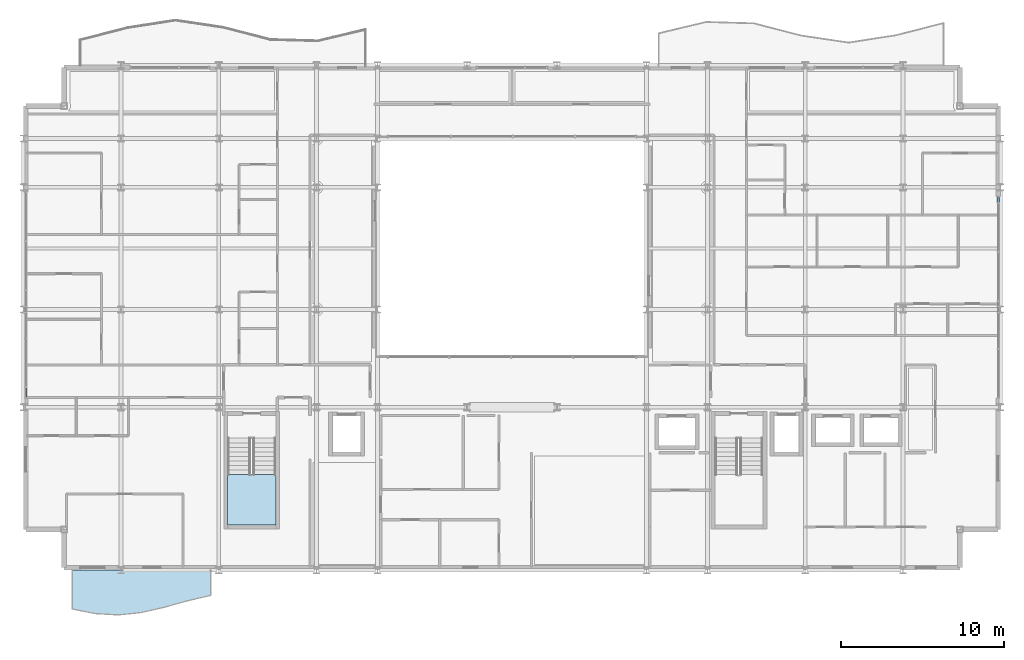
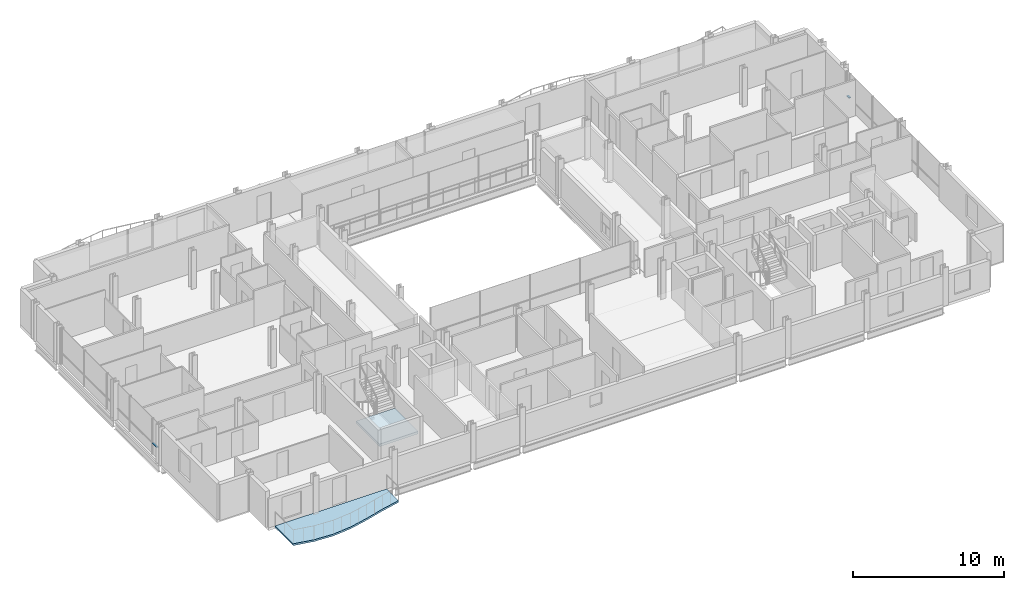
# One storey, part 27 of 41: 2 members, 2 slabs, 3 elements without a shape of their own.
"""IFC4 building model written with IfcOpenShell, lengths in metres."""

import ifcopenshell
import ifcopenshell.guid

model = None  # the IFC model being written
_history = None  # IfcOwnerHistory: only IFC2X3 demands one
_inside = {}  # id of a spatial element -> (the spatial element, [elements in it])
_under = {}  # id of a project, library or spatial element -> (it, [spatial elements below it])
_declared = {}  # id of a project -> (the project, [libraries it declares])
_typed = {}  # id of a type object -> (the type object, [elements of that type])
_made_of = {}  # id of a material, layer set ... -> (it, [elements and type objects made of it])


def new_model(schema):
    """Start an empty IFC model of exactly this schema.

    Asked for "IFC4X3", IfcOpenShell would pick the latest addendum, in which some entities
    have other attributes; the version numbers below select the first issue.
    IFC2X3 requires an IfcOwnerHistory on every rooted entity: one is made here for all.
    """
    global model, _history
    if schema == "IFC4X3":
        model = ifcopenshell.file(schema_version=(4, 3, 0, 0))
    else:
        model = ifcopenshell.file(schema=schema)
    _inside.clear()
    _under.clear()
    _declared.clear()
    _typed.clear()
    _made_of.clear()
    _history = None
    if model.schema == "IFC2X3":
        org = make("IfcOrganization", Name="unknown")
        user = make(
            "IfcPersonAndOrganization",
            ThePerson=make("IfcPerson", FamilyName="unknown"),
            TheOrganization=org,
        )
        app = make(
            "IfcApplication",
            ApplicationDeveloper=org,
            Version="unknown",
            ApplicationFullName="unknown",
            ApplicationIdentifier="unknown",
        )
        _history = make(
            "IfcOwnerHistory",
            OwningUser=user,
            OwningApplication=app,
            ChangeAction="ADDED",
            CreationDate=0,
        )
    return model


def make(cls, **values):
    """One entity of the class cls with the attributes given. An attribute that is None is left unset."""
    return model.create_entity(
        cls, **{name: value for name, value in values.items() if value is not None}
    )


def rooted(cls, **values):
    """An entity with a GlobalId (a new one), such as an element, a storey or a relation."""
    return make(cls, GlobalId=ifcopenshell.guid.new(), OwnerHistory=_history, **values)


def si_unit(unit_type, name, prefix=None):
    """IfcSIUnit, for example si_unit("LENGTHUNIT", "METRE", prefix="MILLI")."""
    return make("IfcSIUnit", UnitType=unit_type, Prefix=prefix, Name=name)


def assignment(units):
    """IfcUnitAssignment: the units of a project."""
    return None if units is None else make("IfcUnitAssignment", Units=units)


def point(xyz):
    """IfcCartesianPoint."""
    return None if xyz is None else make("IfcCartesianPoint", Coordinates=xyz)


def direction(xyz):
    """IfcDirection."""
    return None if xyz is None else make("IfcDirection", DirectionRatios=xyz)


def frame(location, z_axis=None, x_axis=None):
    """IfcAxis2Placement3D, a coordinate frame: its origin and axes. An axis left out is left unset."""
    return make(
        "IfcAxis2Placement3D",
        Location=point(location),
        Axis=direction(z_axis),
        RefDirection=direction(x_axis),
    )


def frame_2d(location, x_axis=None):
    """IfcAxis2Placement2D, a coordinate frame in the plane: its origin and x axis."""
    return make(
        "IfcAxis2Placement2D", Location=point(location), RefDirection=direction(x_axis)
    )


def origin():
    """The frame at (0, 0, 0) with its axes left unset."""
    return frame((0.0, 0.0, 0.0))


def origin_2d():
    """The frame at (0, 0) in the plane with its x axis left unset."""
    return frame_2d((0.0, 0.0))


def place(relative_to, where):
    """IfcLocalPlacement: puts the frame where relative to a parent placement (None: the world)."""
    return make(
        "IfcLocalPlacement", PlacementRelTo=relative_to, RelativePlacement=where
    )


def context(
    kind, dimensions, precision=None, world=None, true_north=None, identifier=None
):
    """IfcGeometricRepresentationContext, for example the 3D "Model" context."""
    return make(
        "IfcGeometricRepresentationContext",
        ContextIdentifier=identifier,
        ContextType=kind,
        CoordinateSpaceDimension=dimensions,
        Precision=precision,
        WorldCoordinateSystem=world,
        TrueNorth=true_north,
    )


def subcontext(parent, identifier, kind, view, scale=None):
    """IfcGeometricRepresentationSubContext, for example "Body" below "Model"."""
    return make(
        "IfcGeometricRepresentationSubContext",
        ContextIdentifier=identifier,
        ContextType=kind,
        ParentContext=parent,
        TargetScale=scale,
        TargetView=view,
    )


def project(units=None, contexts=None):
    """IfcProject with its units and contexts."""
    return rooted(
        "IfcProject",
        Name="project",
        RepresentationContexts=contexts,
        UnitsInContext=assignment(units),
    )


def spatial(cls, under=None, at=None, **own):
    """A site, building, storey or space (cls), placed at a placement, below another one or the project."""
    s = rooted(cls, ObjectPlacement=at, **own)
    if under is not None:
        _under.setdefault(under.id(), (under, []))[1].append(s)
    return s


def polyline(points):
    """IfcPolyline through the points."""
    return make("IfcPolyline", Points=[point(p) for p in points])


def profile(cls, at=None, kind="AREA", **sizes):
    """A parametric profile (cls). Its sizes go by their IFC names, for example OverallWidth=200.0."""
    return make(cls, ProfileType=kind, Position=at, **sizes)


def hollow_rectangle(**sizes):
    """IfcRectangleHollowProfileDef."""
    return profile("IfcRectangleHollowProfileDef", **sizes)


def outline(outer, holes=None, kind="AREA"):
    """IfcArbitraryClosedProfileDef: a profile drawn as a closed curve; with holes, ...WithVoids."""
    if holes is None:
        return make("IfcArbitraryClosedProfileDef", ProfileType=kind, OuterCurve=outer)
    return make(
        "IfcArbitraryProfileDefWithVoids",
        ProfileType=kind,
        OuterCurve=outer,
        InnerCurves=holes,
    )


def extrude(swept, where, along, depth):
    """IfcExtrudedAreaSolid: the profile swept, set in the frame where, extruded along a direction by depth."""
    return make(
        "IfcExtrudedAreaSolid",
        SweptArea=swept,
        Position=where,
        ExtrudedDirection=direction(along),
        Depth=depth,
    )


def shape(context_of_items, identifier, shape_type, items):
    """IfcShapeRepresentation: the items that make up one representation, for example the "Body"."""
    return make(
        "IfcShapeRepresentation",
        ContextOfItems=context_of_items,
        RepresentationIdentifier=identifier,
        RepresentationType=shape_type,
        Items=items,
    )


def material(Name=None, Category=None):
    """IfcMaterial."""
    return make("IfcMaterial", Name=Name, Category=Category)


def layer(
    of_material, thickness, ventilated=None, Name=None, Category=None, Priority=None
):
    """IfcMaterialLayer: one layer of a wall or slab, of a material (None: an air gap)."""
    return make(
        "IfcMaterialLayer",
        Material=of_material,
        LayerThickness=thickness,
        IsVentilated=ventilated,
        Name=Name,
        Category=Category,
        Priority=Priority,
    )


def layer_set(layers, Name=None):
    """IfcMaterialLayerSet."""
    return make("IfcMaterialLayerSet", MaterialLayers=layers, LayerSetName=Name)


def material_profile(
    of_material, cross_section, Name=None, Category=None, Priority=None
):
    """IfcMaterialProfile: a cross section and its material."""
    return make(
        "IfcMaterialProfile",
        Name=Name,
        Material=of_material,
        Profile=cross_section,
        Priority=Priority,
        Category=Category,
    )


def profile_set(profiles, Name=None, composite=None):
    """IfcMaterialProfileSet."""
    return make(
        "IfcMaterialProfileSet",
        Name=Name,
        MaterialProfiles=profiles,
        CompositeProfile=composite,
    )


def made_of(thing, what):
    """Note that an element or type object is made of a material, layer set ...; save() writes the relation."""
    if what is not None:
        _made_of.setdefault(what.id(), (what, []))[1].append(thing)
    return thing


def type_object(cls, material=None, **own):
    """A type object (cls), such as IfcWallType, which elements share."""
    return made_of(rooted(cls, **own), material)


def element(
    cls,
    number,
    at=None,
    inside=None,
    cuts=None,
    type_object=None,
    material=None,
    context=None,
    identifier="Body",
    shape_type=None,
    held_by="IfcProductDefinitionShape",
    body=None,
    shapes=None,
    **own,
):
    """One element of the class cls, such as IfcWall. Its Tag is "e" and its number.

    at: its placement. inside: the storey or other place that contains it. cuts: it is an
    opening in that element (IfcRelVoidsElement). A single representation is given by context,
    identifier, shape_type and body (its items); several are given by shapes. held_by: the class
    of the entity that holds the representations. save() writes the other relations.
    """
    e = rooted(cls, Tag="e%d" % number, ObjectPlacement=at, **own)
    if body is not None:
        shapes = [shape(context, identifier, shape_type, body)]
    if shapes is not None:
        e.Representation = make(held_by, Representations=shapes)
    if inside is not None:
        _inside.setdefault(inside.id(), (inside, []))[1].append(e)
    if cuts is not None:
        rooted(
            "IfcRelVoidsElement", RelatingBuildingElement=cuts, RelatedOpeningElement=e
        )
    if type_object is not None:
        _typed.setdefault(type_object.id(), (type_object, []))[1].append(e)
    return made_of(e, material)


def aggregate(whole, parts):
    """IfcRelAggregates: a whole, such as a stair, and the parts it consists of."""
    return rooted("IfcRelAggregates", RelatingObject=whole, RelatedObjects=parts)


def save(model, path):
    """Write the relations noted so far, then the file.

    IfcRelAggregates (storeys below a building ...), IfcRelContainedInSpatialStructure (elements
    in a storey), IfcRelDefinesByType, IfcRelAssociatesMaterial and IfcRelDeclares: one each for
    every whole, place, type object, material and project.
    """
    for whole, parts in _under.values():
        aggregate(whole, parts)
    for where, things in _inside.values():
        rooted(
            "IfcRelContainedInSpatialStructure",
            RelatedElements=things,
            RelatingStructure=where,
        )
    for kind, things in _typed.values():
        rooted("IfcRelDefinesByType", RelatedObjects=things, RelatingType=kind)
    for what, things in _made_of.values():
        rooted("IfcRelAssociatesMaterial", RelatedObjects=things, RelatingMaterial=what)
    for by, libraries in _declared.values():
        rooted("IfcRelDeclares", RelatingContext=by, RelatedDefinitions=libraries)
    model.write(path)


model = new_model("IFC4")

# Units and contexts
model_context = context("Model", 3, precision=1e-05, world=origin(), true_north=direction((0.0, 1.0)))
body_context = subcontext(model_context, "Body", "Model", "MODEL_VIEW")
ifc_project = project(units=[si_unit("LENGTHUNIT", "METRE"), si_unit("AREAUNIT", "SQUARE_METRE"), si_unit("VOLUMEUNIT", "CUBIC_METRE"), si_unit("PLANEANGLEUNIT", "RADIAN"), si_unit("MASSUNIT", "GRAM", prefix="KILO")], contexts=[model_context])

# Site, building, storey
site_placement = place(None, origin())
site = spatial("IfcSite", under=ifc_project, at=site_placement, CompositionType="ELEMENT")
building_placement = place(site_placement, origin())
building = spatial("IfcBuilding", under=site, at=building_placement, Name="Brevholm Reach", CompositionType="ELEMENT")
storey_placement = place(building_placement, frame((0.0, 0.0, 169.699951171875)))
storey = spatial("IfcBuildingStorey", under=building, at=storey_placement, Name="L51", CompositionType="ELEMENT", Elevation=169.699951171875)

# Curtain wall, member
ifc_material_1 = material(Name="Dark Anodised Aluminium 6063-T6 and Solar-Control Glass", Category="aluminium")
ifc_layer_1 = layer(ifc_material_1, 0.14990234375)
ifc_layer_set_1 = layer_set([ifc_layer_1], Name="Dark Anodised Aluminium 6063-T6 and Solar-Control Glass")
curtain_wall_type = type_object("IfcCurtainWallType", Name="CW-01", PredefinedType="NOTDEFINED", material=ifc_layer_set_1)
curtain_wall_1_placement = place(storey_placement, origin())
curtain_wall_1 = element("IfcCurtainWall", 1, at=curtain_wall_1_placement, inside=storey, type_object=curtain_wall_type, Name="L51 Curtain Wall CW-01", PredefinedType="NOTDEFINED")
ifc_material_2 = material(Name="Dark Anodised Aluminium 6063-T6", Category="aluminium")
ifc_material_profile = material_profile(ifc_material_2, hollow_rectangle(XDim=0.06494140625, YDim=0.14990234375, WallThickness=0.0048828125, InnerFilletRadius=0.0048828125, OuterFilletRadius=0.010009765625, at=origin_2d()), Name="RHS 150x65x5")
ifc_profile_set = profile_set([ifc_material_profile], Name="Dark Anodised Aluminium 6063-T6")
member_type = type_object("IfcMemberType", Name="CWT-150", PredefinedType="NOTDEFINED", material=ifc_profile_set)
member_1_placement = place(storey_placement, frame((0.14990234375, 11.1875, 0.900146484375), z_axis=(0.0, -1.0, 0.0), x_axis=(0.0, 0.0, 1.0)))
member_1 = element("IfcMember", 2, at=member_1_placement, type_object=member_type, Name="CT-150 Transom 5.1", ObjectType="TRANSOM", PredefinedType="USERDEFINED", context=body_context, shape_type="SweptSolid", body=[
    extrude(hollow_rectangle(XDim=0.06494140625, YDim=0.14990234375, WallThickness=0.0048828125, InnerFilletRadius=0.0048828125, OuterFilletRadius=0.010009765625, at=origin_2d()), origin(), (0.0, 0.0, 1.0), 0.572509765625),
])
aggregate(curtain_wall_1, [member_1])

curtain_wall_2_placement = place(storey_placement, origin())
curtain_wall_2 = element("IfcCurtainWall", 3, at=curtain_wall_2_placement, inside=storey, type_object=curtain_wall_type, Name="L51 Curtain Wall CW-01", PredefinedType="NOTDEFINED")
member_2_placement = place(storey_placement, frame((59.85009765625, 22.58251953125, 0.900146484375), z_axis=(0.0, 1.0, 0.0), x_axis=(0.0, 0.0, 1.0)))
member_2 = element("IfcMember", 4, at=member_2_placement, type_object=member_type, Name="CT-150 Transom 5.1", ObjectType="TRANSOM", PredefinedType="USERDEFINED", context=body_context, shape_type="SweptSolid", body=[
    extrude(hollow_rectangle(XDim=0.06494140625, YDim=0.14990234375, WallThickness=0.0048828125, InnerFilletRadius=0.0048828125, OuterFilletRadius=0.010009765625, at=origin_2d()), origin(), (0.0, 0.0, 1.0), 0.302490234375),
])
aggregate(curtain_wall_2, [member_2])

# Slab
ifc_material_3 = material(Name="Precast Concrete C45/55", Category="concrete")
ifc_layer_2 = layer(ifc_material_3, 0.14990234375)
ifc_layer_set_2 = layer_set([ifc_layer_2], Name="Precast Concrete C45/55")
slab_type_1 = type_object("IfcSlabType", Name="SLB-BAL-150", PredefinedType="FLOOR", material=ifc_layer_set_2)
slab_1_placement = place(storey_placement, frame((0.0, 0.0, -0.14990234375)))
element("IfcSlab", 5, at=slab_1_placement, inside=storey, type_object=slab_type_1, Name="L51 Rippling External Balcony SW", PredefinedType="FLOOR", context=body_context, shape_type="SweptSolid", body=[
    extrude(outline(polyline([(3.0, -2.38134765625), (4.416748046875, -2.665283203125), (5.833251953125, -2.747314453125), (7.25, -2.599609375), (8.666748046875, -2.2724609375), (10.083251953125, -1.877685546875), (11.5, -1.55029296875), (11.5, 0.0), (3.0, 0.0), (3.0, -2.38134765625)])), origin(), (0.0, 0.0, 1.0), 0.14990234375),
])

# Stair, slab
ifc_material_4 = material(Name="Precast Concrete C40/50", Category="concrete")
stair_type = type_object("IfcStairType", Name="STR-ESC-1400", PredefinedType="DOUBLE_RETURN_STAIR", material=ifc_material_4)
stair_placement = place(storey_placement, origin())
stair = element("IfcStair", 6, at=stair_placement, inside=storey, type_object=stair_type, Name="L51 ST-1", PredefinedType="DOUBLE_RETURN_STAIR")
ifc_material_5 = material(Name="Concrete C40/50", Category="concrete")
ifc_layer_3 = layer(ifc_material_5, 0.199951171875)
ifc_layer_set_3 = layer_set([ifc_layer_3], Name="Concrete C40/50")
slab_type_2 = type_object("IfcSlabType", Name="SLB-LND-200", PredefinedType="LANDING", material=ifc_layer_set_3)
slab_2_placement = place(storey_placement, frame((0.0, 0.0, 1.35009765625)))
slab_2 = element("IfcSlab", 7, at=slab_2_placement, type_object=slab_type_2, Name="ST-1 landing 1", PredefinedType="LANDING", context=body_context, shape_type="SweptSolid", body=[
    extrude(outline(polyline([(12.550048828125, 5.860107421875), (12.550048828125, 2.780029296875), (15.5, 2.780029296875), (15.5, 5.860107421875), (12.550048828125, 5.860107421875)])), origin(), (0.0, 0.0, 1.0), 0.199951171875),
])
aggregate(stair, [slab_2])

save(model, "model.ifc")
